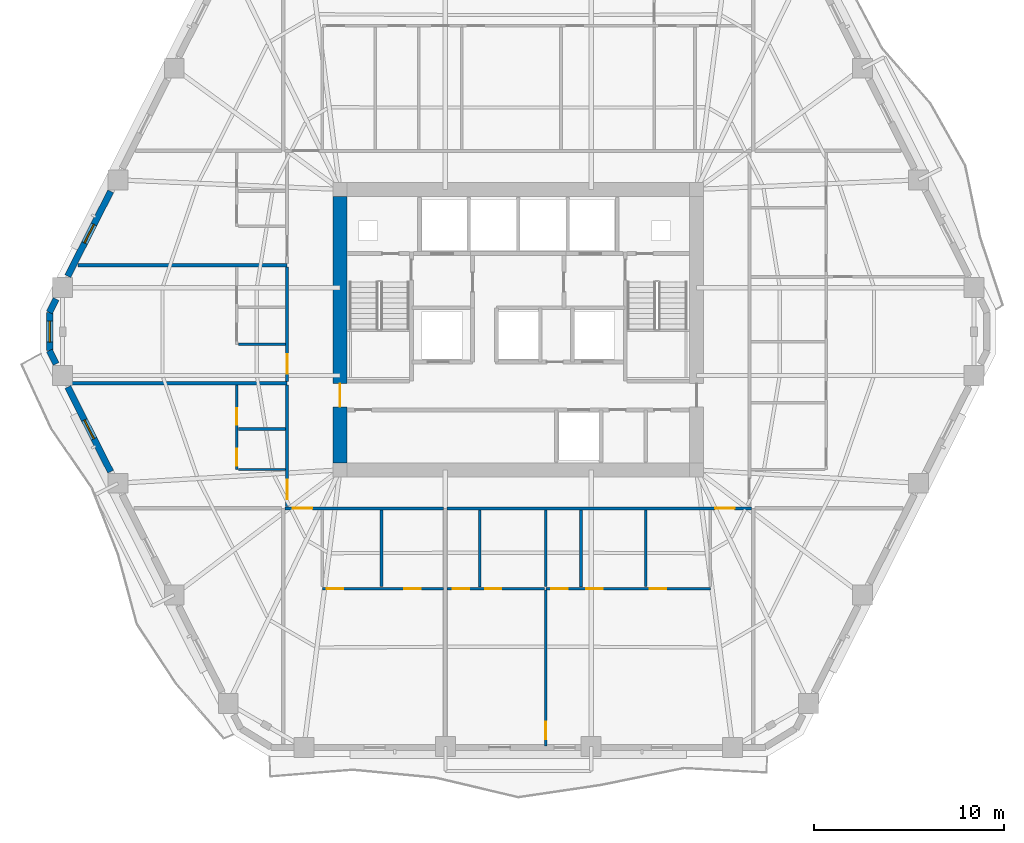
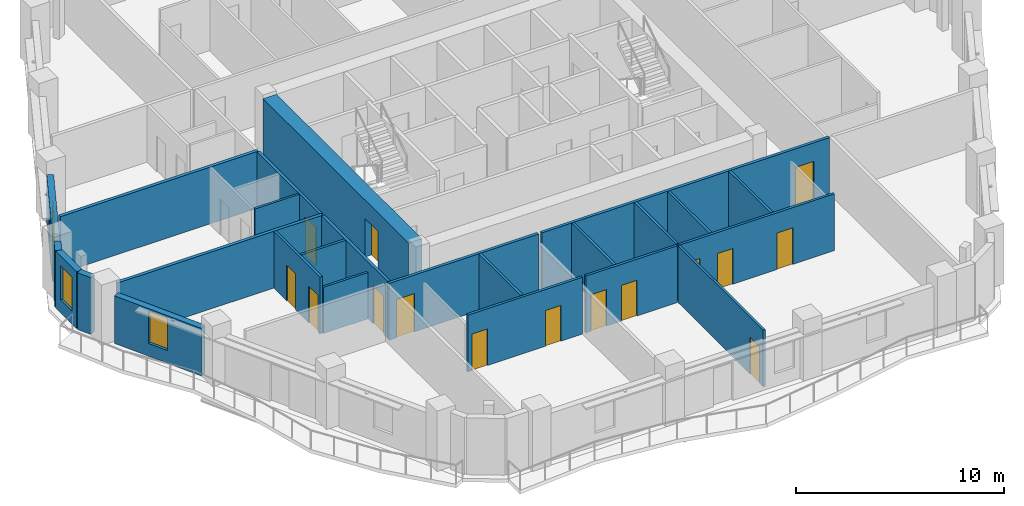
# One storey, part 4 of 12: 25 walls, 15 doors, 3 windows, 18 openings.
"""IFC4 building model written with IfcOpenShell, lengths in metres."""

from ifc_helpers import new_model, si_unit, direction, frame, frame_2d, origin, place, context, subcontext, project, spatial, rectangle, extrude, material, layer, layer_set, type_object, element, fill, save


model = new_model("IFC4")

# Units and contexts
model_context = context("Model", 3, precision=1e-05, world=origin(), true_north=direction((0.0, 1.0)))
body_context = subcontext(model_context, "Body", "Model", "MODEL_VIEW")
ifc_project = project(units=[si_unit("LENGTHUNIT", "METRE"), si_unit("AREAUNIT", "SQUARE_METRE"), si_unit("VOLUMEUNIT", "CUBIC_METRE"), si_unit("PLANEANGLEUNIT", "RADIAN"), si_unit("MASSUNIT", "GRAM", prefix="KILO")], contexts=[model_context])

# Site, building, storey
site_placement = place(None, origin())
site = spatial("IfcSite", under=ifc_project, at=site_placement, CompositionType="ELEMENT")
building_placement = place(site_placement, origin())
building = spatial("IfcBuilding", under=site, at=building_placement, Name="Cinnabar Lancet Tower", CompositionType="ELEMENT")
storey_placement = place(building_placement, frame((0.0, 0.0, 112.60009765625)))
storey = spatial("IfcBuildingStorey", under=building, at=storey_placement, Name="L29", CompositionType="ELEMENT", Elevation=112.60009765625)

# Wall, opening, door
ifc_material_1 = material(Name="Acoustic twin-stud gypsum partition", Category="gypsum")
ifc_layer_1 = layer(ifc_material_1, 0.159912109375)
ifc_layer_set_1 = layer_set([ifc_layer_1], Name="Acoustic twin-stud gypsum partition")
wall_type_1 = type_object("IfcWallType", Name="ARC-WL-CORR-160", PredefinedType="PARTITIONING", material=ifc_layer_set_1)
wall_1_placement = place(storey_placement, frame((20.14501953125, 16.5, 0.0), z_axis=(0.0, 0.0, 1.0), x_axis=(1.0, 0.0, 0.0)))
wall_1 = element("IfcWall", 1, at=wall_1_placement, inside=storey, type_object=wall_type_1, Name="L29 Unit S01 Corridor Wall", PredefinedType="PARTITIONING", context=body_context, shape_type="SweptSolid", body=[
    extrude(rectangle(XDim=8.327880859375, YDim=0.159912109375, at=frame_2d((4.1640625, 0.0))), origin(), (0.0, 0.0, 1.0), 3.33984375),
])
opening_1_placement = place(wall_1_placement, frame((0.405029296875, 0.0, 0.0)))
opening_1 = element("IfcOpeningElement", 2, at=opening_1_placement, cuts=wall_1, Name="Opening UD-01", PredefinedType="OPENING", context=body_context, shape_type="SweptSolid", body=[
    extrude(rectangle(XDim=1.02001953125, YDim=2.25, at=frame_2d((0.510009765625, 1.125))), frame((0.0, 0.08984375, 0.0), z_axis=(0.0, -1.0, 0.0), x_axis=(1.0, 0.0, 0.0)), (0.0, 0.0, 1.0), 0.179931640625),
])
ifc_material_2 = material(Name="Solid timber fire-rated apartment entrance door", Category="wood")
door_type_1 = type_object("IfcDoorType", Name="ARC-DR-UNIT", OperationType="NOTDEFINED", PredefinedType="DOOR", material=ifc_material_2)
door_1_placement = place(opening_1_placement, origin())
door_1 = element("IfcDoor", 3, at=door_1_placement, inside=storey, type_object=door_type_1, Name="DR-L29-S01-ENT", OperationType="SINGLE_SWING_RIGHT", OverallHeight=2.25, OverallWidth=1.02001953125, PredefinedType="DOOR", context=body_context, shape_type="SweptSolid", body=[
    extrude(rectangle(XDim=1.02001953125, YDim=2.25, at=frame_2d((0.510009765625, 1.125))), frame((0.0, 0.02490234375, 0.0), z_axis=(0.0, -1.0, 0.0), x_axis=(1.0, 0.0, 0.0)), (0.0, 0.0, 1.0), 0.050048828125),
])
fill(opening_1, door_1)

wall_2_placement = place(storey_placement, frame((28.6630859375, 16.5, 0.0), z_axis=(0.0, 0.0, 1.0), x_axis=(1.0, 0.0, 0.0)))
wall_2 = element("IfcWall", 4, at=wall_2_placement, inside=storey, type_object=wall_type_1, Name="L29 Unit S02 Corridor Wall", PredefinedType="PARTITIONING", context=body_context, shape_type="SweptSolid", body=[
    extrude(rectangle(XDim=15.991943359375, YDim=0.159912109375, at=frame_2d((7.99609375, 0.0))), origin(), (0.0, 0.0, 1.0), 3.33984375),
])
opening_2_placement = place(wall_2_placement, frame((14.0869140625, 0.0, 0.0)))
opening_2 = element("IfcOpeningElement", 5, at=opening_2_placement, cuts=wall_2, Name="Opening UD-01", PredefinedType="OPENING", context=body_context, shape_type="SweptSolid", body=[
    extrude(rectangle(XDim=1.02001953125, YDim=2.25, at=frame_2d((0.510009765625, 1.125))), frame((0.0, 0.08984375, 0.0), z_axis=(0.0, -1.0, 0.0), x_axis=(1.0, 0.0, 0.0)), (0.0, 0.0, 1.0), 0.179931640625),
])
door_2_placement = place(opening_2_placement, origin())
door_2 = element("IfcDoor", 6, at=door_2_placement, inside=storey, type_object=door_type_1, Name="DR-L29-S02-ENT", OperationType="SINGLE_SWING_LEFT", OverallHeight=2.25, OverallWidth=1.02001953125, PredefinedType="DOOR", context=body_context, shape_type="SweptSolid", body=[
    extrude(rectangle(XDim=1.02001953125, YDim=2.25, at=frame_2d((0.510009765625, 1.125))), frame((0.0, 0.02490234375, 0.0), z_axis=(0.0, -1.0, 0.0), x_axis=(1.0, 0.0, 0.0)), (0.0, 0.0, 1.0), 0.050048828125),
])
fill(opening_2, door_2)

wall_3_placement = place(storey_placement, frame((20.25, 16.594970703125, 0.0), z_axis=(0.0, 0.0, 1.0), x_axis=(0.0, 1.0, 0.0)))
wall_3 = element("IfcWall", 7, at=wall_3_placement, inside=storey, type_object=wall_type_1, Name="UW-L29-W01-COR", PredefinedType="PARTITIONING", context=body_context, shape_type="SweptSolid", body=[
    extrude(rectangle(XDim=6.39013671875, YDim=0.159912109375, at=frame_2d((3.195068359375, 0.0))), origin(), (0.0, 0.0, 1.0), 3.33984375),
])
opening_3_placement = place(wall_3_placement, frame((0.39990234375, 0.0, 0.0)))
opening_3 = element("IfcOpeningElement", 8, at=opening_3_placement, cuts=wall_3, Name="Opening UD-01", PredefinedType="OPENING", context=body_context, shape_type="SweptSolid", body=[
    extrude(rectangle(XDim=1.02001953125, YDim=2.25, at=frame_2d((0.510009765625, 1.125))), frame((0.0, 0.08984375, 0.0), z_axis=(0.0, -1.0, 0.0), x_axis=(1.0, 0.0, 0.0)), (0.0, 0.0, 1.0), 0.179931640625),
])
door_3_placement = place(opening_3_placement, origin())
door_3 = element("IfcDoor", 9, at=door_3_placement, inside=storey, type_object=door_type_1, Name="DR-L29-W01-ENT", OperationType="SINGLE_SWING_RIGHT", OverallHeight=2.25, OverallWidth=1.02001953125, PredefinedType="DOOR", context=body_context, shape_type="SweptSolid", body=[
    extrude(rectangle(XDim=1.02001953125, YDim=2.25, at=frame_2d((0.510009765625, 1.125))), frame((0.0, 0.02490234375, 0.0), z_axis=(0.0, -1.0, 0.0), x_axis=(1.0, 0.0, 0.0)), (0.0, 0.0, 1.0), 0.050048828125),
])
fill(opening_3, door_3)

wall_4_placement = place(storey_placement, frame((20.25, 23.175048828125, 0.0), z_axis=(0.0, 0.0, 1.0), x_axis=(0.0, 1.0, 0.0)))
wall_4 = element("IfcWall", 10, at=wall_4_placement, inside=storey, type_object=wall_type_1, Name="UW-L29-W02-COR", PredefinedType="PARTITIONING", context=body_context, shape_type="SweptSolid", body=[
    extrude(rectangle(XDim=6.013916015625, YDim=0.159912109375, at=frame_2d((3.0068359375, 0.0))), origin(), (0.0, 0.0, 1.0), 3.33984375),
])
opening_4_placement = place(wall_4_placement, frame((0.39990234375, 0.0, 0.0)))
opening_4 = element("IfcOpeningElement", 11, at=opening_4_placement, cuts=wall_4, Name="Opening UD-01", PredefinedType="OPENING", context=body_context, shape_type="SweptSolid", body=[
    extrude(rectangle(XDim=1.02001953125, YDim=2.25, at=frame_2d((0.510009765625, 1.125))), frame((0.0, 0.08984375, 0.0), z_axis=(0.0, -1.0, 0.0), x_axis=(1.0, 0.0, 0.0)), (0.0, 0.0, 1.0), 0.179931640625),
])
door_4_placement = place(opening_4_placement, origin())
door_4 = element("IfcDoor", 12, at=door_4_placement, inside=storey, type_object=door_type_1, Name="DR-L29-W02-ENT", OperationType="SINGLE_SWING_LEFT", OverallHeight=2.25, OverallWidth=1.02001953125, PredefinedType="DOOR", context=body_context, shape_type="SweptSolid", body=[
    extrude(rectangle(XDim=1.02001953125, YDim=2.25, at=frame_2d((0.510009765625, 1.125))), frame((0.0, 0.02490234375, 0.0), z_axis=(0.0, -1.0, 0.0), x_axis=(1.0, 0.0, 0.0)), (0.0, 0.0, 1.0), 0.050048828125),
])
fill(opening_4, door_4)

# Walls
ifc_material_3 = material(Name="Fire-rated twin-frame acoustic drywall", Category="gypsum")
ifc_layer_2 = layer(ifc_material_3, 0.179931640625)
ifc_layer_set_2 = layer_set([ifc_layer_2], Name="Fire-rated twin-frame acoustic drywall")
wall_type_2 = type_object("IfcWallType", Name="ARC-WL-PARTY-180", PredefinedType="PARTITIONING", material=ifc_layer_set_2)
wall_5_placement = place(storey_placement, frame((8.85595703125, 23.080078125, 0.0), z_axis=(0.0, 0.0, 1.0), x_axis=(1.0, 0.0, 0.0)))
element("IfcWall", 13, at=wall_5_placement, inside=storey, type_object=wall_type_2, Name="PW-L29-WPTY-1", PredefinedType="PARTITIONING", context=body_context, shape_type="SweptSolid", body=[
    extrude(rectangle(XDim=11.39404296875, YDim=0.179931640625, at=frame_2d((5.697021484375, 0.0))), origin(), (0.0, 0.0, 1.0), 3.33984375),
])
wall_6_placement = place(storey_placement, frame((9.241943359375, 29.283935546875, 0.0), z_axis=(0.0, 0.0, 1.0), x_axis=(1.0, 0.0, 0.0)))
element("IfcWall", 14, at=wall_6_placement, inside=storey, type_object=wall_type_2, Name="PW-L29-WPTY-2", PredefinedType="PARTITIONING", context=body_context, shape_type="SweptSolid", body=[
    extrude(rectangle(XDim=11.008056640625, YDim=0.179931640625, at=frame_2d((5.50390625, 0.0))), origin(), (0.0, 0.0, 1.0), 3.33984375),
])

# Wall, opening, door
ifc_material_4 = material(Name="Gypsum plasterboard stud partition", Category="gypsum")
ifc_layer_3 = layer(ifc_material_4, 0.125)
ifc_layer_set_3 = layer_set([ifc_layer_3], Name="Gypsum plasterboard stud partition")
wall_type_3 = type_object("IfcWallType", Name="ARC-WL-UNIT-125", PredefinedType="PARTITIONING", material=ifc_layer_set_3)
wall_7_placement = place(storey_placement, frame((33.85009765625, 4.014892578125, 0.0), z_axis=(0.0, 0.0, 1.0), x_axis=(0.0, 1.0, 0.0)))
wall_7 = element("IfcWall", 15, at=wall_7_placement, inside=storey, type_object=wall_type_3, Name="UW-L29-S02-MBW", PredefinedType="PARTITIONING", context=body_context, shape_type="SweptSolid", body=[
    extrude(rectangle(XDim=8.196044921875, YDim=0.125, at=frame_2d((4.09814453125, 0.0))), origin(), (0.0, 0.0, 1.0), 3.33984375),
])
opening_5_placement = place(wall_7_placement, frame((0.35009765625, 0.0, 0.0)))
opening_5 = element("IfcOpeningElement", 16, at=opening_5_placement, cuts=wall_7, Name="Opening RD-01", PredefinedType="OPENING", context=body_context, shape_type="SweptSolid", body=[
    extrude(rectangle(XDim=0.919921875, YDim=2.14990234375, at=frame_2d((0.4599609375, 1.074951171875))), frame((0.0, 0.072509765625, 0.0), z_axis=(0.0, -1.0, 0.0), x_axis=(1.0, 0.0, 0.0)), (0.0, 0.0, 1.0), 0.14501953125),
])
ifc_material_5 = material(Name="Engineered timber bedroom door", Category="wood")
door_type_2 = type_object("IfcDoorType", Name="ARC-DR-ROOM", OperationType="NOTDEFINED", PredefinedType="DOOR", material=ifc_material_5)
door_5_placement = place(opening_5_placement, origin())
door_5 = element("IfcDoor", 17, at=door_5_placement, inside=storey, type_object=door_type_2, Name="DR-L29-S02-MBD", OperationType="SINGLE_SWING_RIGHT", OverallHeight=2.14990234375, OverallWidth=0.919921875, PredefinedType="DOOR", context=body_context, shape_type="SweptSolid", body=[
    extrude(rectangle(XDim=0.919921875, YDim=2.14990234375, at=frame_2d((0.4599609375, 1.074951171875))), frame((0.0, 0.02490234375, 0.0), z_axis=(0.0, -1.0, 0.0), x_axis=(1.0, 0.0, 0.0)), (0.0, 0.0, 1.0), 0.050048828125),
])
fill(opening_5, door_5)

# Walls
wall_8_placement = place(storey_placement, frame((17.68505859375, 18.550048828125, 0.0), z_axis=(0.0, 0.0, 1.0), x_axis=(1.0, 0.0, 0.0)))
element("IfcWall", 18, at=wall_8_placement, inside=storey, type_object=wall_type_3, Name="UW-L29-W01-FOYN", PredefinedType="PARTITIONING", context=body_context, shape_type="SweptSolid", body=[
    extrude(rectangle(XDim=2.47998046875, YDim=0.125, at=frame_2d((1.239990234375, 0.0))), origin(), (0.0, 0.0, 1.0), 2.721923828125),
])
wall_9_placement = place(storey_placement, frame((17.68505859375, 25.1298828125, 0.0), z_axis=(0.0, 0.0, 1.0), x_axis=(1.0, 0.0, 0.0)))
element("IfcWall", 19, at=wall_9_placement, inside=storey, type_object=wall_type_3, Name="UW-L29-W02-FOYN", PredefinedType="PARTITIONING", context=body_context, shape_type="SweptSolid", body=[
    extrude(rectangle(XDim=2.47998046875, YDim=0.125, at=frame_2d((1.239990234375, 0.0))), origin(), (0.0, 0.0, 1.0), 3.33984375),
])

# Wall, openings, doors
ifc_material_6 = material(Name="Moisture-resistant cement-board plumbing wall", Category="masonry")
ifc_layer_4 = layer(ifc_material_6, 0.139892578125)
ifc_layer_set_4 = layer_set([ifc_layer_4], Name="Moisture-resistant cement-board plumbing wall")
wall_type_4 = type_object("IfcWallType", Name="ARC-WL-WET-140", PredefinedType="PLUMBINGWALL", material=ifc_layer_set_4)
wall_10_placement = place(storey_placement, frame((22.10009765625, 12.285888671875, 0.0), z_axis=(0.0, 0.0, 1.0), x_axis=(1.0, 0.0, 0.0)))
wall_10 = element("IfcWall", 20, at=wall_10_placement, inside=storey, type_object=wall_type_4, Name="UW-L29-S01-SPL", PredefinedType="PLUMBINGWALL", context=body_context, shape_type="SweptSolid", body=[
    extrude(rectangle(XDim=6.372802734375, YDim=0.139892578125, at=frame_2d((3.1865234375, 0.0))), origin(), (0.0, 0.0, 1.0), 3.33984375),
])
opening_6_placement = place(wall_10_placement, frame((4.31396484375, 0.0, 0.0)))
opening_6 = element("IfcOpeningElement", 21, at=opening_6_placement, cuts=wall_10, Name="Opening BD-01", PredefinedType="OPENING", context=body_context, shape_type="SweptSolid", body=[
    extrude(rectangle(XDim=0.860107421875, YDim=2.10009765625, at=frame_2d((0.43017578125, 1.050048828125))), frame((0.0, 0.079833984375, 0.0), z_axis=(0.0, -1.0, 0.0), x_axis=(1.0, 0.0, 0.0)), (0.0, 0.0, 1.0), 0.159912109375),
])
opening_7_placement = place(wall_10_placement, frame((0.219970703125, 0.0, 0.0)))
opening_7 = element("IfcOpeningElement", 22, at=opening_7_placement, cuts=wall_10, Name="Opening RD-02", PredefinedType="OPENING", context=body_context, shape_type="SweptSolid", body=[
    extrude(rectangle(XDim=0.8798828125, YDim=2.14990234375, at=frame_2d((0.43994140625, 1.074951171875))), frame((0.0, 0.079833984375, 0.0), z_axis=(0.0, -1.0, 0.0), x_axis=(1.0, 0.0, 0.0)), (0.0, 0.0, 1.0), 0.159912109375),
])
ifc_material_7 = material(Name="Moisture-resistant timber bathroom door", Category="wood")
door_type_3 = type_object("IfcDoorType", Name="ARC-DR-BATH", OperationType="NOTDEFINED", PredefinedType="DOOR", material=ifc_material_7)
door_6_placement = place(opening_6_placement, origin())
door_6 = element("IfcDoor", 23, at=door_6_placement, inside=storey, type_object=door_type_3, Name="DR-L29-S01-BTH", OperationType="SINGLE_SWING_RIGHT", OverallHeight=2.10009765625, OverallWidth=0.860107421875, PredefinedType="DOOR", context=body_context, shape_type="SweptSolid", body=[
    extrude(rectangle(XDim=0.860107421875, YDim=2.10009765625, at=frame_2d((0.43017578125, 1.050048828125))), frame((0.0, 0.02490234375, 0.0), z_axis=(0.0, -1.0, 0.0), x_axis=(1.0, 0.0, 0.0)), (0.0, 0.0, 1.0), 0.050048828125),
])
fill(opening_6, door_6)
ifc_material_8 = material(Name="Engineered timber study door", Category="wood")
door_type_4 = type_object("IfcDoorType", Name="ARC-DR-STUDY", OperationType="NOTDEFINED", PredefinedType="DOOR", material=ifc_material_8)
door_7_placement = place(opening_7_placement, origin())
door_7 = element("IfcDoor", 24, at=door_7_placement, inside=storey, type_object=door_type_4, Name="DR-L29-S01-KIT", OperationType="SINGLE_SWING_LEFT", OverallHeight=2.14990234375, OverallWidth=0.8798828125, PredefinedType="DOOR", context=body_context, shape_type="SweptSolid", body=[
    extrude(rectangle(XDim=0.8798828125, YDim=2.14990234375, at=frame_2d((0.43994140625, 1.074951171875))), frame((0.0, 0.02490234375, 0.0), z_axis=(0.0, -1.0, 0.0), x_axis=(1.0, 0.0, 0.0)), (0.0, 0.0, 1.0), 0.050048828125),
])
fill(opening_7, door_7)

# Wall
wall_11_placement = place(storey_placement, frame((25.205078125, 12.39111328125, 0.0), z_axis=(0.0, 0.0, 1.0), x_axis=(0.0, 1.0, 0.0)))
element("IfcWall", 25, at=wall_11_placement, inside=storey, type_object=wall_type_4, Name="UW-L29-S01-KDV", PredefinedType="PLUMBINGWALL", context=body_context, shape_type="SweptSolid", body=[
    extrude(rectangle(XDim=4.02392578125, YDim=0.139892578125, at=frame_2d((2.011962890625, 0.0))), origin(), (0.0, 0.0, 1.0), 3.33984375),
])

# Wall, openings, doors
wall_12_placement = place(storey_placement, frame((33.85009765625, 12.285888671875, 0.0), z_axis=(0.0, 0.0, 1.0), x_axis=(1.0, 0.0, 0.0)))
wall_12 = element("IfcWall", 26, at=wall_12_placement, inside=storey, type_object=wall_type_4, Name="UW-L29-S02-SPL", PredefinedType="PLUMBINGWALL", context=body_context, shape_type="SweptSolid", body=[
    extrude(rectangle(XDim=8.64990234375, YDim=0.139892578125, at=frame_2d((4.324951171875, 0.0))), origin(), (0.0, 0.0, 1.0), 3.33984375),
])
opening_8_placement = place(wall_12_placement, frame((0.280029296875, 0.0, 0.0)))
opening_8 = element("IfcOpeningElement", 27, at=opening_8_placement, cuts=wall_12, Name="Opening RD-02", PredefinedType="OPENING", context=body_context, shape_type="SweptSolid", body=[
    extrude(rectangle(XDim=0.8798828125, YDim=2.14990234375, at=frame_2d((0.43994140625, 1.074951171875))), frame((0.0, 0.079833984375, 0.0), z_axis=(0.0, -1.0, 0.0), x_axis=(1.0, 0.0, 0.0)), (0.0, 0.0, 1.0), 0.159912109375),
])
opening_9_placement = place(wall_12_placement, frame((2.1259765625, 0.0, 0.0)))
opening_9 = element("IfcOpeningElement", 28, at=opening_9_placement, cuts=wall_12, Name="Opening BD-01", PredefinedType="OPENING", context=body_context, shape_type="SweptSolid", body=[
    extrude(rectangle(XDim=0.860107421875, YDim=2.10009765625, at=frame_2d((0.43017578125, 1.050048828125))), frame((0.0, 0.079833984375, 0.0), z_axis=(0.0, -1.0, 0.0), x_axis=(1.0, 0.0, 0.0)), (0.0, 0.0, 1.0), 0.159912109375),
])
opening_10_placement = place(wall_12_placement, frame((5.449951171875, 0.0, 0.0)))
opening_10 = element("IfcOpeningElement", 29, at=opening_10_placement, cuts=wall_12, Name="Opening RD-02", PredefinedType="OPENING", context=body_context, shape_type="SweptSolid", body=[
    extrude(rectangle(XDim=0.8798828125, YDim=2.14990234375, at=frame_2d((0.43994140625, 1.074951171875))), frame((0.0, 0.079833984375, 0.0), z_axis=(0.0, -1.0, 0.0), x_axis=(1.0, 0.0, 0.0)), (0.0, 0.0, 1.0), 0.159912109375),
])
door_8_placement = place(opening_9_placement, origin())
door_8 = element("IfcDoor", 30, at=door_8_placement, inside=storey, type_object=door_type_3, Name="DR-L29-S02-BTH", OperationType="SINGLE_SWING_LEFT", OverallHeight=2.10009765625, OverallWidth=0.860107421875, PredefinedType="DOOR", context=body_context, shape_type="SweptSolid", body=[
    extrude(rectangle(XDim=0.860107421875, YDim=2.10009765625, at=frame_2d((0.43017578125, 1.050048828125))), frame((0.0, 0.02490234375, 0.0), z_axis=(0.0, -1.0, 0.0), x_axis=(1.0, 0.0, 0.0)), (0.0, 0.0, 1.0), 0.050048828125),
])
fill(opening_9, door_8)
door_9_placement = place(opening_8_placement, origin())
door_9 = element("IfcDoor", 31, at=door_9_placement, inside=storey, type_object=door_type_4, Name="DR-L29-S02-BTH-WDR", OperationType="SINGLE_SWING_RIGHT", OverallHeight=2.14990234375, OverallWidth=0.8798828125, PredefinedType="DOOR", context=body_context, shape_type="SweptSolid", body=[
    extrude(rectangle(XDim=0.8798828125, YDim=2.14990234375, at=frame_2d((0.43994140625, 1.074951171875))), frame((0.0, 0.02490234375, 0.0), z_axis=(0.0, -1.0, 0.0), x_axis=(1.0, 0.0, 0.0)), (0.0, 0.0, 1.0), 0.050048828125),
])
fill(opening_8, door_9)
door_10_placement = place(opening_10_placement, origin())
door_10 = element("IfcDoor", 32, at=door_10_placement, inside=storey, type_object=door_type_4, Name="DR-L29-S02-KIT", OperationType="SINGLE_SWING_LEFT", OverallHeight=2.14990234375, OverallWidth=0.8798828125, PredefinedType="DOOR", context=body_context, shape_type="SweptSolid", body=[
    extrude(rectangle(XDim=0.8798828125, YDim=2.14990234375, at=frame_2d((0.43994140625, 1.074951171875))), frame((0.0, 0.02490234375, 0.0), z_axis=(0.0, -1.0, 0.0), x_axis=(1.0, 0.0, 0.0)), (0.0, 0.0, 1.0), 0.050048828125),
])
fill(opening_10, door_10)

wall_13_placement = place(storey_placement, frame((28.6630859375, 12.285888671875, 0.0), z_axis=(0.0, 0.0, 1.0), x_axis=(1.0, 0.0, 0.0)))
wall_13 = element("IfcWall", 33, at=wall_13_placement, inside=storey, type_object=wall_type_4, Name="UW-L29-S02-SPM", PredefinedType="PLUMBINGWALL", context=body_context, shape_type="SweptSolid", body=[
    extrude(rectangle(XDim=5.11181640625, YDim=0.139892578125, at=frame_2d((2.555908203125, 0.0))), origin(), (0.0, 0.0, 1.0), 3.33984375),
])
opening_11_placement = place(wall_13_placement, frame((0.280029296875, 0.0, 0.0)))
opening_11 = element("IfcOpeningElement", 34, at=opening_11_placement, cuts=wall_13, Name="Opening RD-02", PredefinedType="OPENING", context=body_context, shape_type="SweptSolid", body=[
    extrude(rectangle(XDim=0.8798828125, YDim=2.14990234375, at=frame_2d((0.43994140625, 1.074951171875))), frame((0.0, 0.079833984375, 0.0), z_axis=(0.0, -1.0, 0.0), x_axis=(1.0, 0.0, 0.0)), (0.0, 0.0, 1.0), 0.159912109375),
])
opening_12_placement = place(wall_13_placement, frame((1.988037109375, 0.0, 0.0)))
opening_12 = element("IfcOpeningElement", 35, at=opening_12_placement, cuts=wall_13, Name="Opening BD-01", PredefinedType="OPENING", context=body_context, shape_type="SweptSolid", body=[
    extrude(rectangle(XDim=0.860107421875, YDim=2.10009765625, at=frame_2d((0.43017578125, 1.050048828125))), frame((0.0, 0.079833984375, 0.0), z_axis=(0.0, -1.0, 0.0), x_axis=(1.0, 0.0, 0.0)), (0.0, 0.0, 1.0), 0.159912109375),
])
door_11_placement = place(opening_12_placement, origin())
door_11 = element("IfcDoor", 36, at=door_11_placement, inside=storey, type_object=door_type_3, Name="DR-L29-S02-ENS", OperationType="SINGLE_SWING_RIGHT", OverallHeight=2.10009765625, OverallWidth=0.860107421875, PredefinedType="DOOR", context=body_context, shape_type="SweptSolid", body=[
    extrude(rectangle(XDim=0.860107421875, YDim=2.10009765625, at=frame_2d((0.43017578125, 1.050048828125))), frame((0.0, 0.02490234375, 0.0), z_axis=(0.0, -1.0, 0.0), x_axis=(1.0, 0.0, 0.0)), (0.0, 0.0, 1.0), 0.050048828125),
])
fill(opening_12, door_11)
door_12_placement = place(opening_11_placement, origin())
door_12 = element("IfcDoor", 37, at=door_12_placement, inside=storey, type_object=door_type_4, Name="DR-L29-S02-ENS-WDR", OperationType="SINGLE_SWING_LEFT", OverallHeight=2.14990234375, OverallWidth=0.8798828125, PredefinedType="DOOR", context=body_context, shape_type="SweptSolid", body=[
    extrude(rectangle(XDim=0.8798828125, YDim=2.14990234375, at=frame_2d((0.43994140625, 1.074951171875))), frame((0.0, 0.02490234375, 0.0), z_axis=(0.0, -1.0, 0.0), x_axis=(1.0, 0.0, 0.0)), (0.0, 0.0, 1.0), 0.050048828125),
])
fill(opening_11, door_12)

# Walls
for number, where, z_axis, x_axis, name in (
    (38, (39.10009765625, 12.39111328125, 0.0), (0.0, 0.0, 1.0), (0.0, 1.0, 0.0), "UW-L29-S02-KBD"),
    (39, (33.85009765625, 12.39111328125, 0.0), (0.0, 0.0, 1.0), (0.0, 1.0, 0.0), "UW-L29-S02-ENSW"),
):
    element("IfcWall", number, at=place(storey_placement, frame(where, z_axis=z_axis, x_axis=x_axis)), inside=storey, type_object=wall_type_4, Name=name, PredefinedType="PLUMBINGWALL", context=body_context, shape_type="SweptSolid", body=[
        extrude(rectangle(XDim=4.02392578125, YDim=0.139892578125, at=frame_2d((2.011962890625, 0.0))), origin(), (0.0, 0.0, 1.0), 3.33984375),
    ])
for number, where, z_axis, x_axis, name in (
    (40, (35.696044921875, 12.37109375, 0.0), (0.0, 0.0, 1.0), (0.0, 1.0, 0.0), "UW-L29-S02-BTH-WDV"),
    (41, (30.37109375, 12.37109375, 0.0), (0.0, 0.0, 1.0), (0.0, 1.0, 0.0), "UW-L29-S02-ENS-WDV"),
):
    element("IfcWall", number, at=place(storey_placement, frame(where, z_axis=z_axis, x_axis=x_axis)), inside=storey, type_object=wall_type_4, Name=name, PredefinedType="PLUMBINGWALL", context=body_context, shape_type="SweptSolid", body=[
        extrude(rectangle(XDim=4.0439453125, YDim=0.139892578125, at=frame_2d((2.02197265625, 0.0))), origin(), (0.0, 0.0, 1.0), 3.33984375),
    ])

# Wall, openings, doors
wall_14_placement = place(storey_placement, frame((17.60009765625, 18.550048828125, 0.0), z_axis=(0.0, 0.0, 1.0), x_axis=(0.0, 1.0, 0.0)))
wall_14 = element("IfcWall", 42, at=wall_14_placement, inside=storey, type_object=wall_type_4, Name="UW-L29-W01-SPL", PredefinedType="PLUMBINGWALL", context=body_context, shape_type="SweptSolid", body=[
    extrude(rectangle(XDim=4.43505859375, YDim=0.139892578125, at=frame_2d((2.217529296875, 0.0))), origin(), (0.0, 0.0, 1.0), 3.33984375),
])
opening_13_placement = place(wall_14_placement, frame((2.34912109375, 0.0, 0.0)))
opening_13 = element("IfcOpeningElement", 43, at=opening_13_placement, cuts=wall_14, Name="Opening BD-01", PredefinedType="OPENING", context=body_context, shape_type="SweptSolid", body=[
    extrude(rectangle(XDim=0.860107421875, YDim=2.10009765625, at=frame_2d((0.43017578125, 1.050048828125))), frame((0.0, 0.079833984375, 0.0), z_axis=(0.0, -1.0, 0.0), x_axis=(1.0, 0.0, 0.0)), (0.0, 0.0, 1.0), 0.159912109375),
])
opening_14_placement = place(wall_14_placement, frame((0.199951171875, 0.0, 0.0)))
opening_14 = element("IfcOpeningElement", 44, at=opening_14_placement, cuts=wall_14, Name="Opening RD-02", PredefinedType="OPENING", context=body_context, shape_type="SweptSolid", body=[
    extrude(rectangle(XDim=0.8798828125, YDim=2.14990234375, at=frame_2d((0.43994140625, 1.074951171875))), frame((0.0, 0.079833984375, 0.0), z_axis=(0.0, -1.0, 0.0), x_axis=(1.0, 0.0, 0.0)), (0.0, 0.0, 1.0), 0.159912109375),
])
door_13_placement = place(opening_13_placement, origin())
door_13 = element("IfcDoor", 45, at=door_13_placement, inside=storey, type_object=door_type_3, Name="DR-L29-W01-BTH", OperationType="SINGLE_SWING_RIGHT", OverallHeight=2.10009765625, OverallWidth=0.860107421875, PredefinedType="DOOR", context=body_context, shape_type="SweptSolid", body=[
    extrude(rectangle(XDim=0.860107421875, YDim=2.10009765625, at=frame_2d((0.43017578125, 1.050048828125))), frame((0.0, 0.02490234375, 0.0), z_axis=(0.0, -1.0, 0.0), x_axis=(1.0, 0.0, 0.0)), (0.0, 0.0, 1.0), 0.050048828125),
])
fill(opening_13, door_13)
door_14_placement = place(opening_14_placement, origin())
door_14 = element("IfcDoor", 46, at=door_14_placement, inside=storey, type_object=door_type_4, Name="DR-L29-W01-KIT", OperationType="SINGLE_SWING_LEFT", OverallHeight=2.14990234375, OverallWidth=0.8798828125, PredefinedType="DOOR", context=body_context, shape_type="SweptSolid", body=[
    extrude(rectangle(XDim=0.8798828125, YDim=2.14990234375, at=frame_2d((0.43994140625, 1.074951171875))), frame((0.0, 0.02490234375, 0.0), z_axis=(0.0, -1.0, 0.0), x_axis=(1.0, 0.0, 0.0)), (0.0, 0.0, 1.0), 0.050048828125),
])
fill(opening_14, door_14)

# Wall
wall_15_placement = place(storey_placement, frame((17.68505859375, 20.678955078125, 0.0), z_axis=(0.0, 0.0, 1.0), x_axis=(1.0, 0.0, 0.0)))
element("IfcWall", 47, at=wall_15_placement, inside=storey, type_object=wall_type_4, Name="UW-L29-W01-KDV", PredefinedType="PLUMBINGWALL", context=body_context, shape_type="SweptSolid", body=[
    extrude(rectangle(XDim=2.47998046875, YDim=0.139892578125, at=frame_2d((1.239990234375, 0.0))), origin(), (0.0, 0.0, 1.0), 3.33984375),
])

# Wall, opening, window
ifc_material_9 = material(Name="Cinnabar red clay brick", Category="masonry")
ifc_layer_5 = layer(ifc_material_9, 0.340087890625)
ifc_layer_set_5 = layer_set([ifc_layer_5], Name="Cinnabar red clay brick")
wall_type_5 = type_object("IfcWallType", Name="ENV-WL-BRK-RED-340", PredefinedType="STANDARD", material=ifc_layer_set_5)
wall_16_placement = place(storey_placement, frame((7.76708984375, 26.797119140625, 0.0), z_axis=(0.0, 0.0, 1.0), x_axis=(0.0, -1.0, 0.0)))
wall_16 = element("IfcWall", 48, at=wall_16_placement, inside=storey, type_object=wall_type_5, Name="L29 Chamfered Corner Brick Pier 6.1", PredefinedType="STANDARD", context=body_context, shape_type="SweptSolid", body=[
    extrude(rectangle(XDim=1.994140625, YDim=0.340087890625, at=frame_2d((0.9970703125, 0.0))), origin(), (0.0, 0.0, 1.0), 3.33984375),
])
opening_15_placement = place(wall_16_placement, frame((0.447021484375, 0.0, 0.75)))
opening_15 = element("IfcOpeningElement", 49, at=opening_15_placement, cuts=wall_16, Name="Opening WN-04", PredefinedType="OPENING", context=body_context, shape_type="SweptSolid", body=[
    extrude(rectangle(XDim=1.10009765625, YDim=2.0, at=frame_2d((0.550048828125, 1.0))), frame((0.0, 0.179931640625, 0.0), z_axis=(0.0, -1.0, 0.0), x_axis=(1.0, 0.0, 0.0)), (0.0, 0.0, 1.0), 0.360107421875),
])
ifc_material_10 = material(Name="Thermally broken bronze-anodized aluminium tall lancet window", Category="aluminium")
window_type = type_object("IfcWindowType", Name="ENV-WN-LANCET-1100", PartitioningType="SINGLE_PANEL", PredefinedType="WINDOW", material=ifc_material_10)
window_1_placement = place(opening_15_placement, origin())
window_1 = element("IfcWindow", 50, at=window_1_placement, inside=storey, type_object=window_type, Name="L29 Dwelling Gothic Lancet Window 319", OverallHeight=2.0, OverallWidth=1.10009765625, PartitioningType="SINGLE_PANEL", PredefinedType="WINDOW", context=body_context, shape_type="SweptSolid", body=[
    extrude(rectangle(XDim=1.10009765625, YDim=2.0, at=frame_2d((0.550048828125, 1.0))), frame((0.0, 0.030029296875, 0.0), z_axis=(0.0, -1.0, 0.0), x_axis=(1.0, 0.0, 0.0)), (0.0, 0.0, 1.0), 0.06005859375),
])
fill(opening_15, window_1)

wall_17_placement = place(storey_placement, frame((10.968017578125, 33.172119140625, 0.0), z_axis=(0.0, 0.0, 1.0), x_axis=(-0.451470533039, -0.892286029139, 0.0)))
wall_17 = element("IfcWall", 51, at=wall_17_placement, inside=storey, type_object=wall_type_5, Name="L29 Face 5 Masonry Bay Wall 4", PredefinedType="STANDARD", context=body_context, shape_type="SweptSolid", body=[
    extrude(rectangle(XDim=4.9951171875, YDim=0.340087890625, at=frame_2d((2.49755859375, 0.0))), origin(), (0.0, 0.0, 1.0), 2.796875),
])
opening_16_placement = place(wall_17_placement, frame((1.947021484375, 0.0, 0.75)))
opening_16 = element("IfcOpeningElement", 52, at=opening_16_placement, cuts=wall_17, Name="Opening WN-04", PredefinedType="OPENING", context=body_context, shape_type="SweptSolid", body=[
    extrude(rectangle(XDim=1.10009765625, YDim=1.89697265625, at=frame_2d((0.550048828125, 0.948486328125))), frame((0.0, 0.179931640625, 0.0), z_axis=(0.0, -1.0, 0.0), x_axis=(1.0, 0.0, 0.0)), (0.0, 0.0, 1.0), 0.360107421875),
])
window_2_placement = place(opening_16_placement, origin())
window_2 = element("IfcWindow", 53, at=window_2_placement, inside=storey, type_object=window_type, Name="L29 Face 5 Gothic Lancet Window 4", OverallHeight=1.89697265625, OverallWidth=1.10009765625, PartitioningType="SINGLE_PANEL", PredefinedType="WINDOW", context=body_context, shape_type="SweptSolid", body=[
    extrude(rectangle(XDim=1.10009765625, YDim=1.89697265625, at=frame_2d((0.550048828125, 0.948486328125))), frame((0.0, 0.030029296875, 0.0), z_axis=(0.0, -1.0, 0.0), x_axis=(1.0, 0.0, 0.0)), (0.0, 0.0, 1.0), 0.06005859375),
])
fill(opening_16, window_2)

# Walls
for number, where, z_axis, x_axis, name in (
    (54, (8.10009765625, 27.5029296875, 0.0), (0.0, 0.0, 1.0), (-0.451819324107, -0.89210946546, 0.0), "L29 Face 5 Masonry Bay Wall 5"),
    (55, (7.74609375, 24.7958984375, 0.0), (0.0, 0.0, 1.0), (0.451819324107, -0.89210946546, 0.0), "L29 Face 6 Masonry Bay Wall 1"),
):
    element("IfcWall", number, at=place(storey_placement, frame(where, z_axis=z_axis, x_axis=x_axis)), inside=storey, type_object=wall_type_5, Name=name, PredefinedType="STANDARD", context=body_context, shape_type="SweptSolid", body=[
        extrude(rectangle(XDim=0.783447265625, YDim=0.340087890625, at=frame_2d((0.3916015625, 0.0))), origin(), (0.0, 0.0, 1.0), 3.33984375),
    ])

# Wall, opening, window
wall_18_placement = place(storey_placement, frame((8.712890625, 22.885009765625, 0.0), z_axis=(0.0, 0.0, 1.0), x_axis=(0.451470533039, -0.892286029139, 0.0)))
wall_18 = element("IfcWall", 56, at=wall_18_placement, inside=storey, type_object=wall_type_5, Name="L29 Face 6 Masonry Bay Wall 2", PredefinedType="STANDARD", context=body_context, shape_type="SweptSolid", body=[
    extrude(rectangle(XDim=4.9951171875, YDim=0.340087890625, at=frame_2d((2.49755859375, 0.0))), origin(), (0.0, 0.0, 1.0), 2.796875),
])
opening_17_placement = place(wall_18_placement, frame((1.947021484375, 0.0, 0.75)))
opening_17 = element("IfcOpeningElement", 57, at=opening_17_placement, cuts=wall_18, Name="Opening WN-04", PredefinedType="OPENING", context=body_context, shape_type="SweptSolid", body=[
    extrude(rectangle(XDim=1.10009765625, YDim=1.89697265625, at=frame_2d((0.550048828125, 0.948486328125))), frame((0.0, 0.179931640625, 0.0), z_axis=(0.0, -1.0, 0.0), x_axis=(1.0, 0.0, 0.0)), (0.0, 0.0, 1.0), 0.360107421875),
])
window_3_placement = place(opening_17_placement, origin())
window_3 = element("IfcWindow", 58, at=window_3_placement, inside=storey, type_object=window_type, Name="L29 Face 6 Gothic Lancet Window 2", OverallHeight=1.89697265625, OverallWidth=1.10009765625, PartitioningType="SINGLE_PANEL", PredefinedType="WINDOW", context=body_context, shape_type="SweptSolid", body=[
    extrude(rectangle(XDim=1.10009765625, YDim=1.89697265625, at=frame_2d((0.550048828125, 0.948486328125))), frame((0.0, 0.030029296875, 0.0), z_axis=(0.0, -1.0, 0.0), x_axis=(1.0, 0.0, 0.0)), (0.0, 0.0, 1.0), 0.06005859375),
])
fill(opening_17, window_3)

# Wall, opening, door
ifc_material_11 = material(Name="Concrete C70/85", Category="concrete")
ifc_layer_6 = layer(ifc_material_11, 0.75)
ifc_layer_set_6 = layer_set([ifc_layer_6], Name="Concrete C70/85")
wall_type_6 = type_object("IfcWallType", Name="STR-WL-CORE-750", PredefinedType="SHEAR", material=ifc_layer_set_6)
wall_19_placement = place(storey_placement, frame((23.02490234375, 18.89990234375, 0.0), z_axis=(0.0, 0.0, 1.0), x_axis=(0.0, 1.0, 0.0)))
wall_19 = element("IfcWall", 59, at=wall_19_placement, inside=storey, type_object=wall_type_6, Name="L29 Core Shear Wall W", PredefinedType="SHEAR", context=body_context, shape_type="SweptSolid", body=[
    extrude(rectangle(XDim=14.0, YDim=0.75, at=frame_2d((7.0, 0.0))), origin(), (0.0, 0.0, 1.0), 3.33984375),
])
opening_18_placement = place(wall_19_placement, frame((2.93994140625, 0.0, 0.0)))
opening_18 = element("IfcOpeningElement", 60, at=opening_18_placement, cuts=wall_19, Name="Opening FD-02", PredefinedType="OPENING", context=body_context, shape_type="SweptSolid", body=[
    extrude(rectangle(XDim=1.219970703125, YDim=2.25, at=frame_2d((0.60986328125, 1.125))), frame((0.0, 0.385009765625, 0.0), z_axis=(0.0, -1.0, 0.0), x_axis=(1.0, 0.0, 0.0)), (0.0, 0.0, 1.0), 0.77001953125),
])
ifc_material_12 = material(Name="Fire-rated double-vision core portal door", Category="wood")
door_type_5 = type_object("IfcDoorType", Name="ARC-DR-CPORT", OperationType="NOTDEFINED", PredefinedType="DOOR", material=ifc_material_12)
door_15_placement = place(opening_18_placement, origin())
door_15 = element("IfcDoor", 61, at=door_15_placement, inside=storey, type_object=door_type_5, Name="L29 West Core Lobby Fire Door", OperationType="SINGLE_SWING_RIGHT", OverallHeight=2.25, OverallWidth=1.219970703125, PredefinedType="DOOR", context=body_context, shape_type="SweptSolid", body=[
    extrude(rectangle(XDim=1.219970703125, YDim=2.25, at=frame_2d((0.60986328125, 1.125))), frame((0.0, 0.02490234375, 0.0), z_axis=(0.0, -1.0, 0.0), x_axis=(1.0, 0.0, 0.0)), (0.0, 0.0, 1.0), 0.050048828125),
])
fill(opening_18, door_15)

save(model, "model.ifc")
